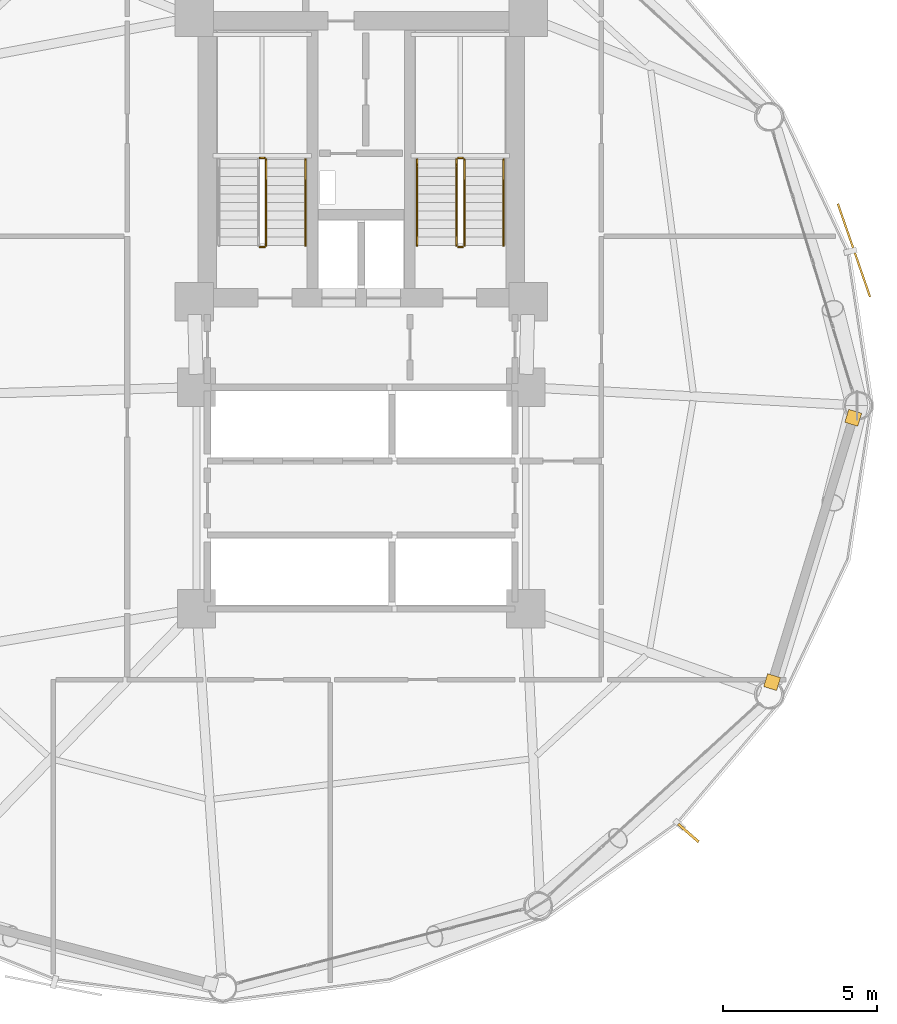
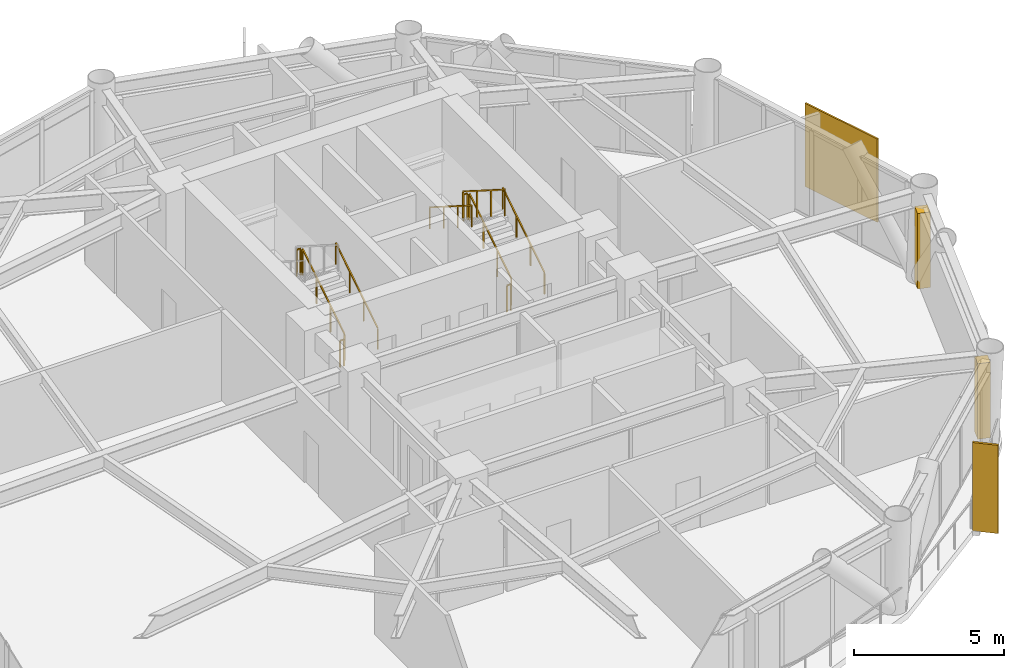
# One storey, part 24 of 25: 10 railings, 2 coverings, 2 shading devices.
"""IFC4 building model written with IfcOpenShell, lengths in metres."""

from ifc_helpers import new_model, si_unit, direction, frame, origin, origin_2d, place, context, subcontext, project, spatial, rectangle, extrude, source, transform, mapped, material, layer, layer_set, type_object, type_shapes, element, save


model = new_model("IFC4")

# Units and contexts
model_context = context("Model", 3, precision=1e-05, world=origin(), true_north=direction((0.0, 1.0)))
body_context = subcontext(model_context, "Body", "Model", "MODEL_VIEW")
ifc_project = project(units=[si_unit("LENGTHUNIT", "METRE"), si_unit("AREAUNIT", "SQUARE_METRE"), si_unit("VOLUMEUNIT", "CUBIC_METRE"), si_unit("PLANEANGLEUNIT", "RADIAN"), si_unit("MASSUNIT", "GRAM", prefix="KILO")], contexts=[model_context])

# Site, building, storey
site_placement = place(None, origin())
site = spatial("IfcSite", under=ifc_project, at=site_placement, CompositionType="ELEMENT")
building_placement = place(site_placement, origin())
building = spatial("IfcBuilding", under=site, at=building_placement, Name="Varnakorn Sky Granary", CompositionType="ELEMENT")
storey_placement = place(building_placement, frame((0.0, 0.0, 39.300048828125)))
storey = spatial("IfcBuildingStorey", under=building, at=storey_placement, Name="L09", CompositionType="ELEMENT", Elevation=39.300048828125)

# Railings
ifc_material_1 = material(Name="Brushed Stainless Steel 316", Category="steel")
railing_type_1 = type_object("IfcRailingType", Name="RL-STAIR-1100", PredefinedType="GUARDRAIL", material=ifc_material_1)
railing_1_placement = place(storey_placement, frame((-0.090087890625, 5.199951171875, 0.17724609375)))
element("IfcRailing", 1, at=railing_1_placement, inside=storey, type_object=railing_type_1, Name="L09 ST-1 stair guard 1", PredefinedType="GUARDRAIL", context=body_context, shape_type="SweptSolid", body=[
    extrude(rectangle(XDim=0.048095703125, YDim=0.048095703125, at=origin_2d()), frame((0.0, 0.0, 1.076171875), z_axis=(0.0, 0.844908973607, 0.534910110503), x_axis=(-1.0, 0.0, 0.0)), (0.0, 0.0, 1.0), 3.31396484375),
    extrude(rectangle(XDim=0.0419921875, YDim=0.0419921875, at=origin_2d()), origin(), (0.0, 0.0, 1.0), 1.048095703125),
    extrude(rectangle(XDim=0.0419921875, YDim=0.0419921875, at=origin_2d()), frame((0.0, 0.933349609375, 0.5908203125)), (0.0, 0.0, 1.0), 1.048095703125),
    extrude(rectangle(XDim=0.0419921875, YDim=0.0419921875, at=origin_2d()), frame((0.0, 1.86669921875, 1.181884765625)), (0.0, 0.0, 1.0), 1.048095703125),
    extrude(rectangle(XDim=0.0419921875, YDim=0.0419921875, at=origin_2d()), frame((0.0, 2.800048828125, 1.772705078125)), (0.0, 0.0, 1.0), 1.048095703125),
])
for number, where, name in (
    (2, (-0.139892578125, 8.050048828125, 1.949951171875), "L09 ST-1 stair guard 2"),
    (3, (-0.139892578125, 5.14990234375, 0.0), "L09 ST-1 stair guard 4"),
):
    element("IfcRailing", number, at=place(storey_placement, frame(where)), inside=storey, type_object=railing_type_1, Name=name, PredefinedType="GUARDRAIL", context=body_context, shape_type="SweptSolid", body=[
        extrude(rectangle(XDim=0.048095703125, YDim=0.048095703125, at=origin_2d()), frame((0.0, 0.0, 1.076171875), z_axis=(-1.0, 0.0, 0.0), x_axis=(0.0, -1.0, 0.0)), (0.0, 0.0, 1.0), 0.150146484375),
        extrude(rectangle(XDim=0.0419921875, YDim=0.0419921875, at=origin_2d()), origin(), (0.0, 0.0, 1.0), 1.048095703125),
        extrude(rectangle(XDim=0.0419921875, YDim=0.0419921875, at=origin_2d()), frame((-0.150146484375, 0.0, 0.0)), (0.0, 0.0, 1.0), 1.048095703125),
    ])
railing_2_placement = place(storey_placement, frame((6.35009765625, 5.199951171875, 0.17724609375)))
element("IfcRailing", 4, at=railing_2_placement, inside=storey, type_object=railing_type_1, Name="L09 ST-2 stair guard 1", PredefinedType="GUARDRAIL", context=body_context, shape_type="SweptSolid", body=[
    extrude(rectangle(XDim=0.048095703125, YDim=0.048095703125, at=origin_2d()), frame((0.0, 0.0, 1.076171875), z_axis=(0.0, 0.844908973607, 0.534910110503), x_axis=(-1.0, 0.0, 0.0)), (0.0, 0.0, 1.0), 3.31396484375),
    extrude(rectangle(XDim=0.0419921875, YDim=0.0419921875, at=origin_2d()), origin(), (0.0, 0.0, 1.0), 1.048095703125),
    extrude(rectangle(XDim=0.0419921875, YDim=0.0419921875, at=origin_2d()), frame((0.0, 0.933349609375, 0.5908203125)), (0.0, 0.0, 1.0), 1.048095703125),
    extrude(rectangle(XDim=0.0419921875, YDim=0.0419921875, at=origin_2d()), frame((0.0, 1.86669921875, 1.181884765625)), (0.0, 0.0, 1.0), 1.048095703125),
    extrude(rectangle(XDim=0.0419921875, YDim=0.0419921875, at=origin_2d()), frame((0.0, 2.800048828125, 1.772705078125)), (0.0, 0.0, 1.0), 1.048095703125),
])
railing_3_placement = place(storey_placement, frame((6.300048828125, 8.050048828125, 1.949951171875)))
element("IfcRailing", 5, at=railing_3_placement, inside=storey, type_object=railing_type_1, Name="L09 ST-2 stair guard 2", PredefinedType="GUARDRAIL", context=body_context, shape_type="SweptSolid", body=[
    extrude(rectangle(XDim=0.048095703125, YDim=0.048095703125, at=origin_2d()), frame((0.0, 0.0, 1.076171875), z_axis=(-1.0, 0.0, 0.0), x_axis=(0.0, -1.0, 0.0)), (0.0, 0.0, 1.0), 0.150146484375),
    extrude(rectangle(XDim=0.0419921875, YDim=0.0419921875, at=origin_2d()), origin(), (0.0, 0.0, 1.0), 1.048095703125),
    extrude(rectangle(XDim=0.0419921875, YDim=0.0419921875, at=origin_2d()), frame((-0.150146484375, 0.0, 0.0)), (0.0, 0.0, 1.0), 1.048095703125),
])
railing_4_placement = place(storey_placement, frame((6.10009765625, 8.0, 2.127197265625)))
element("IfcRailing", 6, at=railing_4_placement, inside=storey, type_object=railing_type_1, Name="L09 ST-2 stair guard 3", PredefinedType="GUARDRAIL", context=body_context, shape_type="SweptSolid", body=[
    extrude(rectangle(XDim=0.048095703125, YDim=0.048095703125, at=origin_2d()), frame((0.0, 0.0, 1.076171875), z_axis=(0.0, -0.844908973607, 0.534910110503), x_axis=(1.0, 0.0, 0.0)), (0.0, 0.0, 1.0), 3.31396484375),
    extrude(rectangle(XDim=0.0419921875, YDim=0.0419921875, at=origin_2d()), origin(), (0.0, 0.0, 1.0), 1.048095703125),
    extrude(rectangle(XDim=0.0419921875, YDim=0.0419921875, at=origin_2d()), frame((0.0, -0.933349609375, 0.5908203125)), (0.0, 0.0, 1.0), 1.048095703125),
    extrude(rectangle(XDim=0.0419921875, YDim=0.0419921875, at=origin_2d()), frame((0.0, -1.86669921875, 1.181884765625)), (0.0, 0.0, 1.0), 1.048095703125),
    extrude(rectangle(XDim=0.0419921875, YDim=0.0419921875, at=origin_2d()), frame((0.0, -2.800048828125, 1.772705078125)), (0.0, 0.0, 1.0), 1.048095703125),
])
railing_5_placement = place(storey_placement, frame((6.300048828125, 5.14990234375, 0.0)))
element("IfcRailing", 7, at=railing_5_placement, inside=storey, type_object=railing_type_1, Name="L09 ST-2 stair guard 4", PredefinedType="GUARDRAIL", context=body_context, shape_type="SweptSolid", body=[
    extrude(rectangle(XDim=0.048095703125, YDim=0.048095703125, at=origin_2d()), frame((0.0, 0.0, 1.076171875), z_axis=(-1.0, 0.0, 0.0), x_axis=(0.0, -1.0, 0.0)), (0.0, 0.0, 1.0), 0.150146484375),
    extrude(rectangle(XDim=0.0419921875, YDim=0.0419921875, at=origin_2d()), origin(), (0.0, 0.0, 1.0), 1.048095703125),
    extrude(rectangle(XDim=0.0419921875, YDim=0.0419921875, at=origin_2d()), frame((-0.150146484375, 0.0, 0.0)), (0.0, 0.0, 1.0), 1.048095703125),
])
railing_type_2 = type_object("IfcRailingType", Name="RL-STAIR-920", PredefinedType="HANDRAIL", material=ifc_material_1)
for number, where, name in (
    (8, (1.18994140625, 5.199951171875, 0.17724609375), "L09 ST-1 stair handrail 1"),
    (9, (7.6298828125, 5.199951171875, 0.17724609375), "L09 ST-2 stair handrail 1"),
):
    element("IfcRailing", number, at=place(storey_placement, frame(where)), inside=storey, type_object=railing_type_2, Name=name, PredefinedType="HANDRAIL", context=body_context, shape_type="SweptSolid", body=[
        extrude(rectangle(XDim=0.048095703125, YDim=0.048095703125, at=origin_2d()), frame((0.0, 0.0, 0.8759765625), z_axis=(0.0, 0.844908973607, 0.534910110503), x_axis=(-1.0, 0.0, 0.0)), (0.0, 0.0, 1.0), 3.31396484375),
        extrude(rectangle(XDim=0.0419921875, YDim=0.0419921875, at=origin_2d()), origin(), (0.0, 0.0, 1.0), 0.847900390625),
        extrude(rectangle(XDim=0.0419921875, YDim=0.0419921875, at=origin_2d()), frame((0.0, 0.933349609375, 0.5908203125)), (0.0, 0.0, 1.0), 0.847900390625),
        extrude(rectangle(XDim=0.0419921875, YDim=0.0419921875, at=origin_2d()), frame((0.0, 1.86669921875, 1.181884765625)), (0.0, 0.0, 1.0), 0.847900390625),
        extrude(rectangle(XDim=0.0419921875, YDim=0.0419921875, at=origin_2d()), frame((0.0, 2.800048828125, 1.772705078125)), (0.0, 0.0, 1.0), 0.847900390625),
    ])
railing_6_placement = place(storey_placement, frame((4.820068359375, 8.0, 2.127197265625)))
element("IfcRailing", 10, at=railing_6_placement, inside=storey, type_object=railing_type_2, Name="L09 ST-2 stair handrail 2", PredefinedType="HANDRAIL", context=body_context, shape_type="SweptSolid", body=[
    extrude(rectangle(XDim=0.048095703125, YDim=0.048095703125, at=origin_2d()), frame((0.0, 0.0, 0.8759765625), z_axis=(0.0, -0.844908973607, 0.534910110503), x_axis=(1.0, 0.0, 0.0)), (0.0, 0.0, 1.0), 3.31396484375),
    extrude(rectangle(XDim=0.0419921875, YDim=0.0419921875, at=origin_2d()), origin(), (0.0, 0.0, 1.0), 0.847900390625),
    extrude(rectangle(XDim=0.0419921875, YDim=0.0419921875, at=origin_2d()), frame((0.0, -0.933349609375, 0.5908203125)), (0.0, 0.0, 1.0), 0.847900390625),
    extrude(rectangle(XDim=0.0419921875, YDim=0.0419921875, at=origin_2d()), frame((0.0, -1.86669921875, 1.181884765625)), (0.0, 0.0, 1.0), 0.847900390625),
    extrude(rectangle(XDim=0.0419921875, YDim=0.0419921875, at=origin_2d()), frame((0.0, -2.800048828125, 1.772705078125)), (0.0, 0.0, 1.0), 0.847900390625),
])

# Shading device
ifc_material_2 = material(Name="Anodised Bronze Aluminium Alloy 6063-T6", Category="aluminium")
shading_device_type_1 = type_object("IfcShadingDeviceType", Name="SH-FIN-01", PredefinedType="USERDEFINED", material=ifc_material_2)
shared_shape_1 = source(origin(), body_context, "Body", "SweptSolid", [
    extrude(rectangle(XDim=0.0849609375, YDim=0.8798828125, at=origin_2d()), origin(), (0.0, 0.0, 1.0), 3.60009765625),
])
type_shapes(shading_device_type_1, [shared_shape_1])
shading_device_1_placement = place(storey_placement, frame((13.630615234375, -13.880615234375, -0.0400390625), z_axis=(0.0, 0.0, 1.0), x_axis=(0.658121304578, 0.752911912816, 0.0)))
element("IfcShadingDevice", 11, at=shading_device_1_placement, inside=storey, type_object=shading_device_type_1, Name="Bronze Solar-Tracking Vertical Blade FIN L09-11", ObjectType="FIN", PredefinedType="USERDEFINED", context=body_context, shape_type="MappedRepresentation", body=[
    mapped(shared_shape_1, transform((0.0, 0.0, 0.0), x_axis=(1.0, 0.0, 0.0), y_axis=(0.0, 1.0, 0.0), z_axis=(0.0, 0.0, 1.0), scale=1.0)),
])

# Coverings
ifc_layer = layer(ifc_material_2, 0.050048828125, Name="Anodised Bronze Aluminium Alloy 6063-T6")
ifc_layer_set = layer_set([ifc_layer], Name="Anodised Bronze Aluminium Alloy 6063-T6")
covering_type = type_object("IfcCoveringType", Name="CV-CLAD-50", PredefinedType="CLADDING", material=ifc_layer_set)
shared_shape_2 = source(origin(), body_context, "Body", "SweptSolid", [
    extrude(rectangle(XDim=0.43994140625, YDim=0.43994140625, at=origin_2d()), origin(), (0.0, 0.0, 1.0), 3.080078125),
])
type_shapes(covering_type, [shared_shape_2])
for number, where, z_axis, x_axis, name in (
    (12, (18.985107421875, -0.393798828125, -0.02001953125), (0.0, 0.0, 1.0), (-0.293539832896, -0.955946842928, 0.0), "Bronze Corner Pilaster Closure L09-P12-A"),
    (13, (16.349365234375, -8.97998046875, -0.02001953125), (0.0, 0.0, 1.0), (-0.293539832896, -0.955946842928, 0.0), "Bronze Corner Pilaster Closure L09-P12-B"),
):
    element("IfcCovering", number, at=place(storey_placement, frame(where, z_axis=z_axis, x_axis=x_axis)), inside=storey, type_object=covering_type, Name=name, PredefinedType="CLADDING", context=body_context, shape_type="MappedRepresentation", body=[
        mapped(shared_shape_2, transform((0.0, 0.0, 0.0), x_axis=(1.0, 0.0, 0.0), y_axis=(0.0, 1.0, 0.0), z_axis=(0.0, 0.0, 1.0), scale=1.0)),
    ])

# Shading device
shading_device_type_2 = type_object("IfcShadingDeviceType", Name="SH-SCR-01", PredefinedType="USERDEFINED", material=ifc_material_2)
shared_shape_3 = source(origin(), body_context, "Body", "SweptSolid", [
    extrude(rectangle(XDim=3.199951171875, YDim=0.06494140625, at=origin_2d()), origin(), (0.0, 0.0, 1.0), 3.39990234375),
])
type_shapes(shading_device_type_2, [shared_shape_3])
shading_device_2_placement = place(storey_placement, frame((19.0087890625, 5.044189453125, -0.0400390625), z_axis=(0.0, 0.0, 1.0), x_axis=(-0.326688146097, 0.945132189273, 0.0)))
element("IfcShadingDevice", 14, at=shading_device_2_placement, inside=storey, type_object=shading_device_type_2, Name="Perforated Bronze Solar Screen Panel SCREEN L09-01", ObjectType="SCREEN", PredefinedType="USERDEFINED", context=body_context, shape_type="MappedRepresentation", body=[
    mapped(shared_shape_3, transform((0.0, 0.0, 0.0), x_axis=(1.0, 0.0, 0.0), y_axis=(0.0, 1.0, 0.0), z_axis=(0.0, 0.0, 1.0), scale=1.0)),
])

save(model, "model.ifc")
